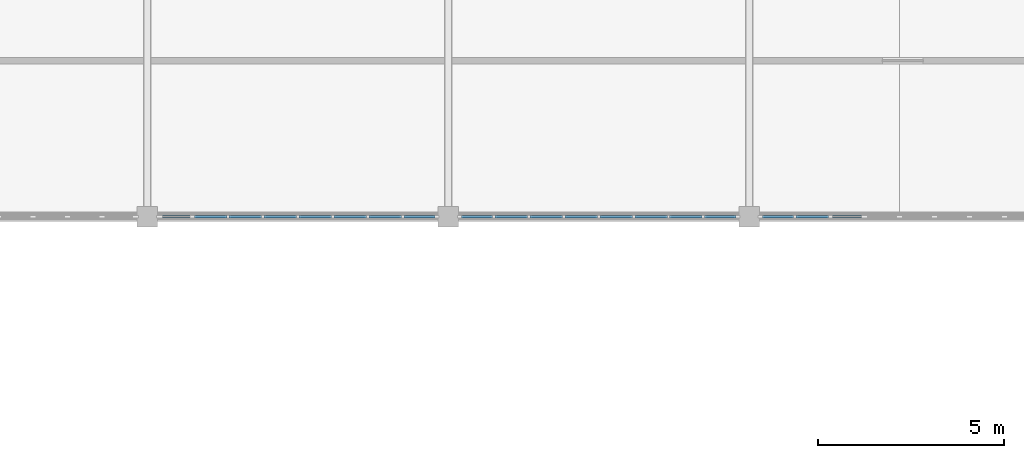
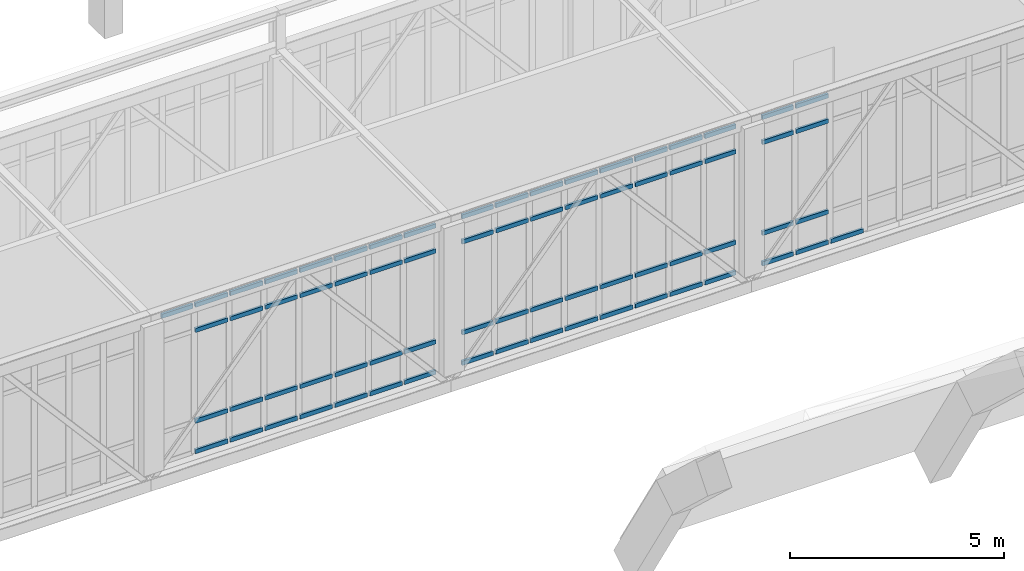
# One storey, part 22 of 67: 70 members, 3 elements without a shape of their own.
"""IFC4 building model written with IfcOpenShell, lengths in metres."""

from ifc_helpers import new_model, si_unit, direction, frame, origin, origin_2d, place, context, subcontext, project, spatial, rectangle, extrude, material, material_profile, profile_set, type_object, element, aggregate, save


model = new_model("IFC4")

# Units and contexts
model_context = context("Model", 3, precision=1e-05, world=origin(), true_north=direction((0.0, 1.0)))
body_context = subcontext(model_context, "Body", "Model", "MODEL_VIEW")
ifc_project = project(units=[si_unit("LENGTHUNIT", "METRE"), si_unit("AREAUNIT", "SQUARE_METRE"), si_unit("VOLUMEUNIT", "CUBIC_METRE"), si_unit("PLANEANGLEUNIT", "RADIAN"), si_unit("MASSUNIT", "GRAM", prefix="KILO")], contexts=[model_context])

# Site, building, storey
site_placement = place(None, origin())
site = spatial("IfcSite", under=ifc_project, at=site_placement, CompositionType="ELEMENT")
building_placement = place(site_placement, origin())
building = spatial("IfcBuilding", under=site, at=building_placement, Name="Tarnveldt Square Police Headquarters", CompositionType="ELEMENT")
storey_placement = place(building_placement, frame((0.0, 0.0, 10.199951171875)))
storey = spatial("IfcBuildingStorey", under=building, at=storey_placement, Name="L02", CompositionType="ELEMENT", Elevation=10.199951171875)

# Curtain wall, members
ifc_material_1 = material(Name="Triple-glazed low-e laminated vision glass", Category="glass")
curtain_wall_type = type_object("IfcCurtainWallType", Name="CW-SB-752x424", PredefinedType="USERDEFINED", material=ifc_material_1)
curtain_wall_1_placement = place(storey_placement, origin())
curtain_wall_1 = element("IfcCurtainWall", 1, at=curtain_wall_1_placement, inside=storey, type_object=curtain_wall_type, Name="L02 Curtain Wall CW-L02-139", ObjectType="GLAZED CURTAIN WALL", PredefinedType="USERDEFINED")
ifc_material_2 = material(Name="Thermally broken anodised aluminium 6063-T6", Category="aluminium")
ifc_material_profile = material_profile(ifc_material_2, rectangle(XDim=0.06494140625, YDim=0.1201171875, at=origin_2d()), Name="CW-T65x120")
ifc_profile_set = profile_set([ifc_material_profile], Name="Thermally broken anodised aluminium 6063-T6")
member_type = type_object("IfcMemberType", Name="CWT-65x120", PredefinedType="USERDEFINED", material=ifc_profile_set)
member_1_placement = place(storey_placement, frame((57.054931640625, 56.0, 4.20751953125), z_axis=(1.0, 0.0, 0.0), x_axis=(0.0, 1.0, 0.0)))
member_1 = element("IfcMember", 2, at=member_1_placement, type_object=member_type, Name="CW-SB86 transom 1.4", ObjectType="TRANSOM", PredefinedType="USERDEFINED", context=body_context, shape_type="SweptSolid", body=[
    extrude(rectangle(XDim=0.06494140625, YDim=0.1201171875, at=origin_2d()), origin(), (0.0, 0.0, 1.0), 0.842529296875),
])
member_2_placement = place(storey_placement, frame((57.96240234375, 56.0, 0.032470703125), z_axis=(1.0, 0.0, 0.0), x_axis=(0.0, 1.0, 0.0)))
member_2 = element("IfcMember", 3, at=member_2_placement, type_object=member_type, Name="CW-SB86 transom 2.1", ObjectType="TRANSOM", PredefinedType="USERDEFINED", context=body_context, shape_type="SweptSolid", body=[
    extrude(rectangle(XDim=0.06494140625, YDim=0.1201171875, at=origin_2d()), origin(), (0.0, 0.0, 1.0), 0.875),
])
member_3_placement = place(storey_placement, frame((57.96240234375, 56.0, 0.900146484375), z_axis=(1.0, 0.0, 0.0), x_axis=(0.0, 1.0, 0.0)))
member_3 = element("IfcMember", 4, at=member_3_placement, type_object=member_type, Name="CW-SB86 transom 2.2", ObjectType="TRANSOM", PredefinedType="USERDEFINED", context=body_context, shape_type="SweptSolid", body=[
    extrude(rectangle(XDim=0.06494140625, YDim=0.1201171875, at=origin_2d()), origin(), (0.0, 0.0, 1.0), 0.875),
])
member_4_placement = place(storey_placement, frame((57.96240234375, 56.0, 3.489990234375), z_axis=(1.0, 0.0, 0.0), x_axis=(0.0, 1.0, 0.0)))
member_4 = element("IfcMember", 5, at=member_4_placement, type_object=member_type, Name="CW-SB86 transom 2.3", ObjectType="TRANSOM", PredefinedType="USERDEFINED", context=body_context, shape_type="SweptSolid", body=[
    extrude(rectangle(XDim=0.06494140625, YDim=0.1201171875, at=origin_2d()), origin(), (0.0, 0.0, 1.0), 0.875),
])
member_5_placement = place(storey_placement, frame((57.96240234375, 56.0, 4.20751953125), z_axis=(1.0, 0.0, 0.0), x_axis=(0.0, 1.0, 0.0)))
member_5 = element("IfcMember", 6, at=member_5_placement, type_object=member_type, Name="CW-SB86 transom 2.4", ObjectType="TRANSOM", PredefinedType="USERDEFINED", context=body_context, shape_type="SweptSolid", body=[
    extrude(rectangle(XDim=0.06494140625, YDim=0.1201171875, at=origin_2d()), origin(), (0.0, 0.0, 1.0), 0.875),
])
member_6_placement = place(storey_placement, frame((58.902587890625, 56.0, 0.032470703125), z_axis=(1.0, 0.0, 0.0), x_axis=(0.0, 1.0, 0.0)))
member_6 = element("IfcMember", 7, at=member_6_placement, type_object=member_type, Name="CW-SB86 transom 3.1", ObjectType="TRANSOM", PredefinedType="USERDEFINED", context=body_context, shape_type="SweptSolid", body=[
    extrude(rectangle(XDim=0.06494140625, YDim=0.1201171875, at=origin_2d()), origin(), (0.0, 0.0, 1.0), 0.875),
])
member_7_placement = place(storey_placement, frame((58.902587890625, 56.0, 0.900146484375), z_axis=(1.0, 0.0, 0.0), x_axis=(0.0, 1.0, 0.0)))
member_7 = element("IfcMember", 8, at=member_7_placement, type_object=member_type, Name="CW-SB86 transom 3.2", ObjectType="TRANSOM", PredefinedType="USERDEFINED", context=body_context, shape_type="SweptSolid", body=[
    extrude(rectangle(XDim=0.06494140625, YDim=0.1201171875, at=origin_2d()), origin(), (0.0, 0.0, 1.0), 0.875),
])
member_8_placement = place(storey_placement, frame((58.902587890625, 56.0, 3.489990234375), z_axis=(1.0, 0.0, 0.0), x_axis=(0.0, 1.0, 0.0)))
member_8 = element("IfcMember", 9, at=member_8_placement, type_object=member_type, Name="CW-SB86 transom 3.3", ObjectType="TRANSOM", PredefinedType="USERDEFINED", context=body_context, shape_type="SweptSolid", body=[
    extrude(rectangle(XDim=0.06494140625, YDim=0.1201171875, at=origin_2d()), origin(), (0.0, 0.0, 1.0), 0.875),
])
member_9_placement = place(storey_placement, frame((58.902587890625, 56.0, 4.20751953125), z_axis=(1.0, 0.0, 0.0), x_axis=(0.0, 1.0, 0.0)))
member_9 = element("IfcMember", 10, at=member_9_placement, type_object=member_type, Name="CW-SB86 transom 3.4", ObjectType="TRANSOM", PredefinedType="USERDEFINED", context=body_context, shape_type="SweptSolid", body=[
    extrude(rectangle(XDim=0.06494140625, YDim=0.1201171875, at=origin_2d()), origin(), (0.0, 0.0, 1.0), 0.875),
])
member_10_placement = place(storey_placement, frame((59.842529296875, 56.0, 0.032470703125), z_axis=(1.0, 0.0, 0.0), x_axis=(0.0, 1.0, 0.0)))
member_10 = element("IfcMember", 11, at=member_10_placement, type_object=member_type, Name="CW-SB86 transom 4.1", ObjectType="TRANSOM", PredefinedType="USERDEFINED", context=body_context, shape_type="SweptSolid", body=[
    extrude(rectangle(XDim=0.06494140625, YDim=0.1201171875, at=origin_2d()), origin(), (0.0, 0.0, 1.0), 0.875),
])
member_11_placement = place(storey_placement, frame((59.842529296875, 56.0, 0.900146484375), z_axis=(1.0, 0.0, 0.0), x_axis=(0.0, 1.0, 0.0)))
member_11 = element("IfcMember", 12, at=member_11_placement, type_object=member_type, Name="CW-SB86 transom 4.2", ObjectType="TRANSOM", PredefinedType="USERDEFINED", context=body_context, shape_type="SweptSolid", body=[
    extrude(rectangle(XDim=0.06494140625, YDim=0.1201171875, at=origin_2d()), origin(), (0.0, 0.0, 1.0), 0.875),
])
member_12_placement = place(storey_placement, frame((59.842529296875, 56.0, 3.489990234375), z_axis=(1.0, 0.0, 0.0), x_axis=(0.0, 1.0, 0.0)))
member_12 = element("IfcMember", 13, at=member_12_placement, type_object=member_type, Name="CW-SB86 transom 4.3", ObjectType="TRANSOM", PredefinedType="USERDEFINED", context=body_context, shape_type="SweptSolid", body=[
    extrude(rectangle(XDim=0.06494140625, YDim=0.1201171875, at=origin_2d()), origin(), (0.0, 0.0, 1.0), 0.875),
])
member_13_placement = place(storey_placement, frame((59.842529296875, 56.0, 4.20751953125), z_axis=(1.0, 0.0, 0.0), x_axis=(0.0, 1.0, 0.0)))
member_13 = element("IfcMember", 14, at=member_13_placement, type_object=member_type, Name="CW-SB86 transom 4.4", ObjectType="TRANSOM", PredefinedType="USERDEFINED", context=body_context, shape_type="SweptSolid", body=[
    extrude(rectangle(XDim=0.06494140625, YDim=0.1201171875, at=origin_2d()), origin(), (0.0, 0.0, 1.0), 0.875),
])
member_14_placement = place(storey_placement, frame((60.782470703125, 56.0, 0.032470703125), z_axis=(1.0, 0.0, 0.0), x_axis=(0.0, 1.0, 0.0)))
member_14 = element("IfcMember", 15, at=member_14_placement, type_object=member_type, Name="CW-SB86 transom 5.1", ObjectType="TRANSOM", PredefinedType="USERDEFINED", context=body_context, shape_type="SweptSolid", body=[
    extrude(rectangle(XDim=0.06494140625, YDim=0.1201171875, at=origin_2d()), origin(), (0.0, 0.0, 1.0), 0.875),
])
member_15_placement = place(storey_placement, frame((60.782470703125, 56.0, 0.900146484375), z_axis=(1.0, 0.0, 0.0), x_axis=(0.0, 1.0, 0.0)))
member_15 = element("IfcMember", 16, at=member_15_placement, type_object=member_type, Name="CW-SB86 transom 5.2", ObjectType="TRANSOM", PredefinedType="USERDEFINED", context=body_context, shape_type="SweptSolid", body=[
    extrude(rectangle(XDim=0.06494140625, YDim=0.1201171875, at=origin_2d()), origin(), (0.0, 0.0, 1.0), 0.875),
])
member_16_placement = place(storey_placement, frame((60.782470703125, 56.0, 3.489990234375), z_axis=(1.0, 0.0, 0.0), x_axis=(0.0, 1.0, 0.0)))
member_16 = element("IfcMember", 17, at=member_16_placement, type_object=member_type, Name="CW-SB86 transom 5.3", ObjectType="TRANSOM", PredefinedType="USERDEFINED", context=body_context, shape_type="SweptSolid", body=[
    extrude(rectangle(XDim=0.06494140625, YDim=0.1201171875, at=origin_2d()), origin(), (0.0, 0.0, 1.0), 0.875),
])
member_17_placement = place(storey_placement, frame((60.782470703125, 56.0, 4.20751953125), z_axis=(1.0, 0.0, 0.0), x_axis=(0.0, 1.0, 0.0)))
member_17 = element("IfcMember", 18, at=member_17_placement, type_object=member_type, Name="CW-SB86 transom 5.4", ObjectType="TRANSOM", PredefinedType="USERDEFINED", context=body_context, shape_type="SweptSolid", body=[
    extrude(rectangle(XDim=0.06494140625, YDim=0.1201171875, at=origin_2d()), origin(), (0.0, 0.0, 1.0), 0.875),
])
member_18_placement = place(storey_placement, frame((61.722412109375, 56.0, 0.032470703125), z_axis=(1.0, 0.0, 0.0), x_axis=(0.0, 1.0, 0.0)))
member_18 = element("IfcMember", 19, at=member_18_placement, type_object=member_type, Name="CW-SB86 transom 6.1", ObjectType="TRANSOM", PredefinedType="USERDEFINED", context=body_context, shape_type="SweptSolid", body=[
    extrude(rectangle(XDim=0.06494140625, YDim=0.1201171875, at=origin_2d()), origin(), (0.0, 0.0, 1.0), 0.875),
])
member_19_placement = place(storey_placement, frame((61.722412109375, 56.0, 0.900146484375), z_axis=(1.0, 0.0, 0.0), x_axis=(0.0, 1.0, 0.0)))
member_19 = element("IfcMember", 20, at=member_19_placement, type_object=member_type, Name="CW-SB86 transom 6.2", ObjectType="TRANSOM", PredefinedType="USERDEFINED", context=body_context, shape_type="SweptSolid", body=[
    extrude(rectangle(XDim=0.06494140625, YDim=0.1201171875, at=origin_2d()), origin(), (0.0, 0.0, 1.0), 0.875),
])
member_20_placement = place(storey_placement, frame((61.722412109375, 56.0, 3.489990234375), z_axis=(1.0, 0.0, 0.0), x_axis=(0.0, 1.0, 0.0)))
member_20 = element("IfcMember", 21, at=member_20_placement, type_object=member_type, Name="CW-SB86 transom 6.3", ObjectType="TRANSOM", PredefinedType="USERDEFINED", context=body_context, shape_type="SweptSolid", body=[
    extrude(rectangle(XDim=0.06494140625, YDim=0.1201171875, at=origin_2d()), origin(), (0.0, 0.0, 1.0), 0.875),
])
member_21_placement = place(storey_placement, frame((61.722412109375, 56.0, 4.20751953125), z_axis=(1.0, 0.0, 0.0), x_axis=(0.0, 1.0, 0.0)))
member_21 = element("IfcMember", 22, at=member_21_placement, type_object=member_type, Name="CW-SB86 transom 6.4", ObjectType="TRANSOM", PredefinedType="USERDEFINED", context=body_context, shape_type="SweptSolid", body=[
    extrude(rectangle(XDim=0.06494140625, YDim=0.1201171875, at=origin_2d()), origin(), (0.0, 0.0, 1.0), 0.875),
])
member_22_placement = place(storey_placement, frame((62.66259765625, 56.0, 0.032470703125), z_axis=(1.0, 0.0, 0.0), x_axis=(0.0, 1.0, 0.0)))
member_22 = element("IfcMember", 23, at=member_22_placement, type_object=member_type, Name="CW-SB86 transom 7.1", ObjectType="TRANSOM", PredefinedType="USERDEFINED", context=body_context, shape_type="SweptSolid", body=[
    extrude(rectangle(XDim=0.06494140625, YDim=0.1201171875, at=origin_2d()), origin(), (0.0, 0.0, 1.0), 0.875),
])
member_23_placement = place(storey_placement, frame((62.66259765625, 56.0, 0.900146484375), z_axis=(1.0, 0.0, 0.0), x_axis=(0.0, 1.0, 0.0)))
member_23 = element("IfcMember", 24, at=member_23_placement, type_object=member_type, Name="CW-SB86 transom 7.2", ObjectType="TRANSOM", PredefinedType="USERDEFINED", context=body_context, shape_type="SweptSolid", body=[
    extrude(rectangle(XDim=0.06494140625, YDim=0.1201171875, at=origin_2d()), origin(), (0.0, 0.0, 1.0), 0.875),
])
member_24_placement = place(storey_placement, frame((62.66259765625, 56.0, 3.489990234375), z_axis=(1.0, 0.0, 0.0), x_axis=(0.0, 1.0, 0.0)))
member_24 = element("IfcMember", 25, at=member_24_placement, type_object=member_type, Name="CW-SB86 transom 7.3", ObjectType="TRANSOM", PredefinedType="USERDEFINED", context=body_context, shape_type="SweptSolid", body=[
    extrude(rectangle(XDim=0.06494140625, YDim=0.1201171875, at=origin_2d()), origin(), (0.0, 0.0, 1.0), 0.875),
])
member_25_placement = place(storey_placement, frame((62.66259765625, 56.0, 4.20751953125), z_axis=(1.0, 0.0, 0.0), x_axis=(0.0, 1.0, 0.0)))
member_25 = element("IfcMember", 26, at=member_25_placement, type_object=member_type, Name="CW-SB86 transom 7.4", ObjectType="TRANSOM", PredefinedType="USERDEFINED", context=body_context, shape_type="SweptSolid", body=[
    extrude(rectangle(XDim=0.06494140625, YDim=0.1201171875, at=origin_2d()), origin(), (0.0, 0.0, 1.0), 0.875),
])
member_26_placement = place(storey_placement, frame((63.6025390625, 56.0, 0.032470703125), z_axis=(1.0, 0.0, 0.0), x_axis=(0.0, 1.0, 0.0)))
member_26 = element("IfcMember", 27, at=member_26_placement, type_object=member_type, Name="CW-SB86 transom 8.1", ObjectType="TRANSOM", PredefinedType="USERDEFINED", context=body_context, shape_type="SweptSolid", body=[
    extrude(rectangle(XDim=0.06494140625, YDim=0.1201171875, at=origin_2d()), origin(), (0.0, 0.0, 1.0), 0.842529296875),
])
member_27_placement = place(storey_placement, frame((63.6025390625, 56.0, 0.900146484375), z_axis=(1.0, 0.0, 0.0), x_axis=(0.0, 1.0, 0.0)))
member_27 = element("IfcMember", 28, at=member_27_placement, type_object=member_type, Name="CW-SB86 transom 8.2", ObjectType="TRANSOM", PredefinedType="USERDEFINED", context=body_context, shape_type="SweptSolid", body=[
    extrude(rectangle(XDim=0.06494140625, YDim=0.1201171875, at=origin_2d()), origin(), (0.0, 0.0, 1.0), 0.842529296875),
])
member_28_placement = place(storey_placement, frame((63.6025390625, 56.0, 3.489990234375), z_axis=(1.0, 0.0, 0.0), x_axis=(0.0, 1.0, 0.0)))
member_28 = element("IfcMember", 29, at=member_28_placement, type_object=member_type, Name="CW-SB86 transom 8.3", ObjectType="TRANSOM", PredefinedType="USERDEFINED", context=body_context, shape_type="SweptSolid", body=[
    extrude(rectangle(XDim=0.06494140625, YDim=0.1201171875, at=origin_2d()), origin(), (0.0, 0.0, 1.0), 0.842529296875),
])
member_29_placement = place(storey_placement, frame((63.6025390625, 56.0, 4.20751953125), z_axis=(1.0, 0.0, 0.0), x_axis=(0.0, 1.0, 0.0)))
member_29 = element("IfcMember", 30, at=member_29_placement, type_object=member_type, Name="CW-SB86 transom 8.4", ObjectType="TRANSOM", PredefinedType="USERDEFINED", context=body_context, shape_type="SweptSolid", body=[
    extrude(rectangle(XDim=0.06494140625, YDim=0.1201171875, at=origin_2d()), origin(), (0.0, 0.0, 1.0), 0.842529296875),
])
aggregate(curtain_wall_1, [member_1, member_2, member_3, member_4, member_5, member_6, member_7, member_8, member_9, member_10, member_11, member_12, member_13, member_14, member_15, member_16, member_17, member_18, member_19, member_20, member_21, member_22, member_23, member_24, member_25, member_26, member_27, member_28, member_29])

curtain_wall_2_placement = place(storey_placement, origin())
curtain_wall_2 = element("IfcCurtainWall", 31, at=curtain_wall_2_placement, inside=storey, type_object=curtain_wall_type, Name="L02 Curtain Wall CW-L02-140", ObjectType="GLAZED CURTAIN WALL", PredefinedType="USERDEFINED")
member_30_placement = place(storey_placement, frame((65.155029296875, 56.0, 0.032470703125), z_axis=(1.0, 0.0, 0.0), x_axis=(0.0, 1.0, 0.0)))
member_30 = element("IfcMember", 32, at=member_30_placement, type_object=member_type, Name="CW-SB86 transom 1.1", ObjectType="TRANSOM", PredefinedType="USERDEFINED", context=body_context, shape_type="SweptSolid", body=[
    extrude(rectangle(XDim=0.06494140625, YDim=0.1201171875, at=origin_2d()), origin(), (0.0, 0.0, 1.0), 0.842529296875),
])
member_31_placement = place(storey_placement, frame((65.155029296875, 56.0, 0.900146484375), z_axis=(1.0, 0.0, 0.0), x_axis=(0.0, 1.0, 0.0)))
member_31 = element("IfcMember", 33, at=member_31_placement, type_object=member_type, Name="CW-SB86 transom 1.2", ObjectType="TRANSOM", PredefinedType="USERDEFINED", context=body_context, shape_type="SweptSolid", body=[
    extrude(rectangle(XDim=0.06494140625, YDim=0.1201171875, at=origin_2d()), origin(), (0.0, 0.0, 1.0), 0.842529296875),
])
member_32_placement = place(storey_placement, frame((65.155029296875, 56.0, 3.489990234375), z_axis=(1.0, 0.0, 0.0), x_axis=(0.0, 1.0, 0.0)))
member_32 = element("IfcMember", 34, at=member_32_placement, type_object=member_type, Name="CW-SB86 transom 1.3", ObjectType="TRANSOM", PredefinedType="USERDEFINED", context=body_context, shape_type="SweptSolid", body=[
    extrude(rectangle(XDim=0.06494140625, YDim=0.1201171875, at=origin_2d()), origin(), (0.0, 0.0, 1.0), 0.842529296875),
])
member_33_placement = place(storey_placement, frame((65.155029296875, 56.0, 4.20751953125), z_axis=(1.0, 0.0, 0.0), x_axis=(0.0, 1.0, 0.0)))
member_33 = element("IfcMember", 35, at=member_33_placement, type_object=member_type, Name="CW-SB86 transom 1.4", ObjectType="TRANSOM", PredefinedType="USERDEFINED", context=body_context, shape_type="SweptSolid", body=[
    extrude(rectangle(XDim=0.06494140625, YDim=0.1201171875, at=origin_2d()), origin(), (0.0, 0.0, 1.0), 0.842529296875),
])
member_34_placement = place(storey_placement, frame((66.0625, 56.0, 0.032470703125), z_axis=(1.0, 0.0, 0.0), x_axis=(0.0, 1.0, 0.0)))
member_34 = element("IfcMember", 36, at=member_34_placement, type_object=member_type, Name="CW-SB86 transom 2.1", ObjectType="TRANSOM", PredefinedType="USERDEFINED", context=body_context, shape_type="SweptSolid", body=[
    extrude(rectangle(XDim=0.06494140625, YDim=0.1201171875, at=origin_2d()), origin(), (0.0, 0.0, 1.0), 0.875),
])
member_35_placement = place(storey_placement, frame((66.0625, 56.0, 0.900146484375), z_axis=(1.0, 0.0, 0.0), x_axis=(0.0, 1.0, 0.0)))
member_35 = element("IfcMember", 37, at=member_35_placement, type_object=member_type, Name="CW-SB86 transom 2.2", ObjectType="TRANSOM", PredefinedType="USERDEFINED", context=body_context, shape_type="SweptSolid", body=[
    extrude(rectangle(XDim=0.06494140625, YDim=0.1201171875, at=origin_2d()), origin(), (0.0, 0.0, 1.0), 0.875),
])
member_36_placement = place(storey_placement, frame((66.0625, 56.0, 3.489990234375), z_axis=(1.0, 0.0, 0.0), x_axis=(0.0, 1.0, 0.0)))
member_36 = element("IfcMember", 38, at=member_36_placement, type_object=member_type, Name="CW-SB86 transom 2.3", ObjectType="TRANSOM", PredefinedType="USERDEFINED", context=body_context, shape_type="SweptSolid", body=[
    extrude(rectangle(XDim=0.06494140625, YDim=0.1201171875, at=origin_2d()), origin(), (0.0, 0.0, 1.0), 0.875),
])
member_37_placement = place(storey_placement, frame((66.0625, 56.0, 4.20751953125), z_axis=(1.0, 0.0, 0.0), x_axis=(0.0, 1.0, 0.0)))
member_37 = element("IfcMember", 39, at=member_37_placement, type_object=member_type, Name="CW-SB86 transom 2.4", ObjectType="TRANSOM", PredefinedType="USERDEFINED", context=body_context, shape_type="SweptSolid", body=[
    extrude(rectangle(XDim=0.06494140625, YDim=0.1201171875, at=origin_2d()), origin(), (0.0, 0.0, 1.0), 0.875),
])
member_38_placement = place(storey_placement, frame((67.00244140625, 56.0, 0.032470703125), z_axis=(1.0, 0.0, 0.0), x_axis=(0.0, 1.0, 0.0)))
member_38 = element("IfcMember", 40, at=member_38_placement, type_object=member_type, Name="CW-SB86 transom 3.1", ObjectType="TRANSOM", PredefinedType="USERDEFINED", context=body_context, shape_type="SweptSolid", body=[
    extrude(rectangle(XDim=0.06494140625, YDim=0.1201171875, at=origin_2d()), origin(), (0.0, 0.0, 1.0), 0.875),
])
member_39_placement = place(storey_placement, frame((67.00244140625, 56.0, 0.900146484375), z_axis=(1.0, 0.0, 0.0), x_axis=(0.0, 1.0, 0.0)))
member_39 = element("IfcMember", 41, at=member_39_placement, type_object=member_type, Name="CW-SB86 transom 3.2", ObjectType="TRANSOM", PredefinedType="USERDEFINED", context=body_context, shape_type="SweptSolid", body=[
    extrude(rectangle(XDim=0.06494140625, YDim=0.1201171875, at=origin_2d()), origin(), (0.0, 0.0, 1.0), 0.875),
])
member_40_placement = place(storey_placement, frame((67.00244140625, 56.0, 3.489990234375), z_axis=(1.0, 0.0, 0.0), x_axis=(0.0, 1.0, 0.0)))
member_40 = element("IfcMember", 42, at=member_40_placement, type_object=member_type, Name="CW-SB86 transom 3.3", ObjectType="TRANSOM", PredefinedType="USERDEFINED", context=body_context, shape_type="SweptSolid", body=[
    extrude(rectangle(XDim=0.06494140625, YDim=0.1201171875, at=origin_2d()), origin(), (0.0, 0.0, 1.0), 0.875),
])
member_41_placement = place(storey_placement, frame((67.00244140625, 56.0, 4.20751953125), z_axis=(1.0, 0.0, 0.0), x_axis=(0.0, 1.0, 0.0)))
member_41 = element("IfcMember", 43, at=member_41_placement, type_object=member_type, Name="CW-SB86 transom 3.4", ObjectType="TRANSOM", PredefinedType="USERDEFINED", context=body_context, shape_type="SweptSolid", body=[
    extrude(rectangle(XDim=0.06494140625, YDim=0.1201171875, at=origin_2d()), origin(), (0.0, 0.0, 1.0), 0.875),
])
member_42_placement = place(storey_placement, frame((67.9423828125, 56.0, 0.032470703125), z_axis=(1.0, 0.0, 0.0), x_axis=(0.0, 1.0, 0.0)))
member_42 = element("IfcMember", 44, at=member_42_placement, type_object=member_type, Name="CW-SB86 transom 4.1", ObjectType="TRANSOM", PredefinedType="USERDEFINED", context=body_context, shape_type="SweptSolid", body=[
    extrude(rectangle(XDim=0.06494140625, YDim=0.1201171875, at=origin_2d()), origin(), (0.0, 0.0, 1.0), 0.875),
])
member_43_placement = place(storey_placement, frame((67.9423828125, 56.0, 0.900146484375), z_axis=(1.0, 0.0, 0.0), x_axis=(0.0, 1.0, 0.0)))
member_43 = element("IfcMember", 45, at=member_43_placement, type_object=member_type, Name="CW-SB86 transom 4.2", ObjectType="TRANSOM", PredefinedType="USERDEFINED", context=body_context, shape_type="SweptSolid", body=[
    extrude(rectangle(XDim=0.06494140625, YDim=0.1201171875, at=origin_2d()), origin(), (0.0, 0.0, 1.0), 0.875),
])
member_44_placement = place(storey_placement, frame((67.9423828125, 56.0, 3.489990234375), z_axis=(1.0, 0.0, 0.0), x_axis=(0.0, 1.0, 0.0)))
member_44 = element("IfcMember", 46, at=member_44_placement, type_object=member_type, Name="CW-SB86 transom 4.3", ObjectType="TRANSOM", PredefinedType="USERDEFINED", context=body_context, shape_type="SweptSolid", body=[
    extrude(rectangle(XDim=0.06494140625, YDim=0.1201171875, at=origin_2d()), origin(), (0.0, 0.0, 1.0), 0.875),
])
member_45_placement = place(storey_placement, frame((67.9423828125, 56.0, 4.20751953125), z_axis=(1.0, 0.0, 0.0), x_axis=(0.0, 1.0, 0.0)))
member_45 = element("IfcMember", 47, at=member_45_placement, type_object=member_type, Name="CW-SB86 transom 4.4", ObjectType="TRANSOM", PredefinedType="USERDEFINED", context=body_context, shape_type="SweptSolid", body=[
    extrude(rectangle(XDim=0.06494140625, YDim=0.1201171875, at=origin_2d()), origin(), (0.0, 0.0, 1.0), 0.875),
])
member_46_placement = place(storey_placement, frame((68.882568359375, 56.0, 0.032470703125), z_axis=(1.0, 0.0, 0.0), x_axis=(0.0, 1.0, 0.0)))
member_46 = element("IfcMember", 48, at=member_46_placement, type_object=member_type, Name="CW-SB86 transom 5.1", ObjectType="TRANSOM", PredefinedType="USERDEFINED", context=body_context, shape_type="SweptSolid", body=[
    extrude(rectangle(XDim=0.06494140625, YDim=0.1201171875, at=origin_2d()), origin(), (0.0, 0.0, 1.0), 0.875),
])
member_47_placement = place(storey_placement, frame((68.882568359375, 56.0, 0.900146484375), z_axis=(1.0, 0.0, 0.0), x_axis=(0.0, 1.0, 0.0)))
member_47 = element("IfcMember", 49, at=member_47_placement, type_object=member_type, Name="CW-SB86 transom 5.2", ObjectType="TRANSOM", PredefinedType="USERDEFINED", context=body_context, shape_type="SweptSolid", body=[
    extrude(rectangle(XDim=0.06494140625, YDim=0.1201171875, at=origin_2d()), origin(), (0.0, 0.0, 1.0), 0.875),
])
member_48_placement = place(storey_placement, frame((68.882568359375, 56.0, 3.489990234375), z_axis=(1.0, 0.0, 0.0), x_axis=(0.0, 1.0, 0.0)))
member_48 = element("IfcMember", 50, at=member_48_placement, type_object=member_type, Name="CW-SB86 transom 5.3", ObjectType="TRANSOM", PredefinedType="USERDEFINED", context=body_context, shape_type="SweptSolid", body=[
    extrude(rectangle(XDim=0.06494140625, YDim=0.1201171875, at=origin_2d()), origin(), (0.0, 0.0, 1.0), 0.875),
])
member_49_placement = place(storey_placement, frame((68.882568359375, 56.0, 4.20751953125), z_axis=(1.0, 0.0, 0.0), x_axis=(0.0, 1.0, 0.0)))
member_49 = element("IfcMember", 51, at=member_49_placement, type_object=member_type, Name="CW-SB86 transom 5.4", ObjectType="TRANSOM", PredefinedType="USERDEFINED", context=body_context, shape_type="SweptSolid", body=[
    extrude(rectangle(XDim=0.06494140625, YDim=0.1201171875, at=origin_2d()), origin(), (0.0, 0.0, 1.0), 0.875),
])
member_50_placement = place(storey_placement, frame((69.822509765625, 56.0, 0.032470703125), z_axis=(1.0, 0.0, 0.0), x_axis=(0.0, 1.0, 0.0)))
member_50 = element("IfcMember", 52, at=member_50_placement, type_object=member_type, Name="CW-SB86 transom 6.1", ObjectType="TRANSOM", PredefinedType="USERDEFINED", context=body_context, shape_type="SweptSolid", body=[
    extrude(rectangle(XDim=0.06494140625, YDim=0.1201171875, at=origin_2d()), origin(), (0.0, 0.0, 1.0), 0.875),
])
member_51_placement = place(storey_placement, frame((69.822509765625, 56.0, 0.900146484375), z_axis=(1.0, 0.0, 0.0), x_axis=(0.0, 1.0, 0.0)))
member_51 = element("IfcMember", 53, at=member_51_placement, type_object=member_type, Name="CW-SB86 transom 6.2", ObjectType="TRANSOM", PredefinedType="USERDEFINED", context=body_context, shape_type="SweptSolid", body=[
    extrude(rectangle(XDim=0.06494140625, YDim=0.1201171875, at=origin_2d()), origin(), (0.0, 0.0, 1.0), 0.875),
])
member_52_placement = place(storey_placement, frame((69.822509765625, 56.0, 3.489990234375), z_axis=(1.0, 0.0, 0.0), x_axis=(0.0, 1.0, 0.0)))
member_52 = element("IfcMember", 54, at=member_52_placement, type_object=member_type, Name="CW-SB86 transom 6.3", ObjectType="TRANSOM", PredefinedType="USERDEFINED", context=body_context, shape_type="SweptSolid", body=[
    extrude(rectangle(XDim=0.06494140625, YDim=0.1201171875, at=origin_2d()), origin(), (0.0, 0.0, 1.0), 0.875),
])
member_53_placement = place(storey_placement, frame((69.822509765625, 56.0, 4.20751953125), z_axis=(1.0, 0.0, 0.0), x_axis=(0.0, 1.0, 0.0)))
member_53 = element("IfcMember", 55, at=member_53_placement, type_object=member_type, Name="CW-SB86 transom 6.4", ObjectType="TRANSOM", PredefinedType="USERDEFINED", context=body_context, shape_type="SweptSolid", body=[
    extrude(rectangle(XDim=0.06494140625, YDim=0.1201171875, at=origin_2d()), origin(), (0.0, 0.0, 1.0), 0.875),
])
member_54_placement = place(storey_placement, frame((70.762451171875, 56.0, 0.032470703125), z_axis=(1.0, 0.0, 0.0), x_axis=(0.0, 1.0, 0.0)))
member_54 = element("IfcMember", 56, at=member_54_placement, type_object=member_type, Name="CW-SB86 transom 7.1", ObjectType="TRANSOM", PredefinedType="USERDEFINED", context=body_context, shape_type="SweptSolid", body=[
    extrude(rectangle(XDim=0.06494140625, YDim=0.1201171875, at=origin_2d()), origin(), (0.0, 0.0, 1.0), 0.875),
])
member_55_placement = place(storey_placement, frame((70.762451171875, 56.0, 0.900146484375), z_axis=(1.0, 0.0, 0.0), x_axis=(0.0, 1.0, 0.0)))
member_55 = element("IfcMember", 57, at=member_55_placement, type_object=member_type, Name="CW-SB86 transom 7.2", ObjectType="TRANSOM", PredefinedType="USERDEFINED", context=body_context, shape_type="SweptSolid", body=[
    extrude(rectangle(XDim=0.06494140625, YDim=0.1201171875, at=origin_2d()), origin(), (0.0, 0.0, 1.0), 0.875),
])
member_56_placement = place(storey_placement, frame((70.762451171875, 56.0, 3.489990234375), z_axis=(1.0, 0.0, 0.0), x_axis=(0.0, 1.0, 0.0)))
member_56 = element("IfcMember", 58, at=member_56_placement, type_object=member_type, Name="CW-SB86 transom 7.3", ObjectType="TRANSOM", PredefinedType="USERDEFINED", context=body_context, shape_type="SweptSolid", body=[
    extrude(rectangle(XDim=0.06494140625, YDim=0.1201171875, at=origin_2d()), origin(), (0.0, 0.0, 1.0), 0.875),
])
member_57_placement = place(storey_placement, frame((70.762451171875, 56.0, 4.20751953125), z_axis=(1.0, 0.0, 0.0), x_axis=(0.0, 1.0, 0.0)))
member_57 = element("IfcMember", 59, at=member_57_placement, type_object=member_type, Name="CW-SB86 transom 7.4", ObjectType="TRANSOM", PredefinedType="USERDEFINED", context=body_context, shape_type="SweptSolid", body=[
    extrude(rectangle(XDim=0.06494140625, YDim=0.1201171875, at=origin_2d()), origin(), (0.0, 0.0, 1.0), 0.875),
])
member_58_placement = place(storey_placement, frame((71.702392578125, 56.0, 0.032470703125), z_axis=(1.0, 0.0, 0.0), x_axis=(0.0, 1.0, 0.0)))
member_58 = element("IfcMember", 60, at=member_58_placement, type_object=member_type, Name="CW-SB86 transom 8.1", ObjectType="TRANSOM", PredefinedType="USERDEFINED", context=body_context, shape_type="SweptSolid", body=[
    extrude(rectangle(XDim=0.06494140625, YDim=0.1201171875, at=origin_2d()), origin(), (0.0, 0.0, 1.0), 0.842529296875),
])
member_59_placement = place(storey_placement, frame((71.702392578125, 56.0, 0.900146484375), z_axis=(1.0, 0.0, 0.0), x_axis=(0.0, 1.0, 0.0)))
member_59 = element("IfcMember", 61, at=member_59_placement, type_object=member_type, Name="CW-SB86 transom 8.2", ObjectType="TRANSOM", PredefinedType="USERDEFINED", context=body_context, shape_type="SweptSolid", body=[
    extrude(rectangle(XDim=0.06494140625, YDim=0.1201171875, at=origin_2d()), origin(), (0.0, 0.0, 1.0), 0.842529296875),
])
member_60_placement = place(storey_placement, frame((71.702392578125, 56.0, 3.489990234375), z_axis=(1.0, 0.0, 0.0), x_axis=(0.0, 1.0, 0.0)))
member_60 = element("IfcMember", 62, at=member_60_placement, type_object=member_type, Name="CW-SB86 transom 8.3", ObjectType="TRANSOM", PredefinedType="USERDEFINED", context=body_context, shape_type="SweptSolid", body=[
    extrude(rectangle(XDim=0.06494140625, YDim=0.1201171875, at=origin_2d()), origin(), (0.0, 0.0, 1.0), 0.842529296875),
])
member_61_placement = place(storey_placement, frame((71.702392578125, 56.0, 4.20751953125), z_axis=(1.0, 0.0, 0.0), x_axis=(0.0, 1.0, 0.0)))
member_61 = element("IfcMember", 63, at=member_61_placement, type_object=member_type, Name="CW-SB86 transom 8.4", ObjectType="TRANSOM", PredefinedType="USERDEFINED", context=body_context, shape_type="SweptSolid", body=[
    extrude(rectangle(XDim=0.06494140625, YDim=0.1201171875, at=origin_2d()), origin(), (0.0, 0.0, 1.0), 0.842529296875),
])
aggregate(curtain_wall_2, [member_30, member_31, member_32, member_33, member_34, member_35, member_36, member_37, member_38, member_39, member_40, member_41, member_42, member_43, member_44, member_45, member_46, member_47, member_48, member_49, member_50, member_51, member_52, member_53, member_54, member_55, member_56, member_57, member_58, member_59, member_60, member_61])

curtain_wall_3_placement = place(storey_placement, origin())
curtain_wall_3 = element("IfcCurtainWall", 64, at=curtain_wall_3_placement, inside=storey, type_object=curtain_wall_type, Name="L02 Curtain Wall CW-L02-141", ObjectType="GLAZED CURTAIN WALL", PredefinedType="USERDEFINED")
member_62_placement = place(storey_placement, frame((73.2548828125, 56.0, 0.032470703125), z_axis=(1.0, 0.0, 0.0), x_axis=(0.0, 1.0, 0.0)))
member_62 = element("IfcMember", 65, at=member_62_placement, type_object=member_type, Name="CW-SB86 transom 1.1", ObjectType="TRANSOM", PredefinedType="USERDEFINED", context=body_context, shape_type="SweptSolid", body=[
    extrude(rectangle(XDim=0.06494140625, YDim=0.1201171875, at=origin_2d()), origin(), (0.0, 0.0, 1.0), 0.842529296875),
])
member_63_placement = place(storey_placement, frame((73.2548828125, 56.0, 0.900146484375), z_axis=(1.0, 0.0, 0.0), x_axis=(0.0, 1.0, 0.0)))
member_63 = element("IfcMember", 66, at=member_63_placement, type_object=member_type, Name="CW-SB86 transom 1.2", ObjectType="TRANSOM", PredefinedType="USERDEFINED", context=body_context, shape_type="SweptSolid", body=[
    extrude(rectangle(XDim=0.06494140625, YDim=0.1201171875, at=origin_2d()), origin(), (0.0, 0.0, 1.0), 0.842529296875),
])
member_64_placement = place(storey_placement, frame((73.2548828125, 56.0, 3.489990234375), z_axis=(1.0, 0.0, 0.0), x_axis=(0.0, 1.0, 0.0)))
member_64 = element("IfcMember", 67, at=member_64_placement, type_object=member_type, Name="CW-SB86 transom 1.3", ObjectType="TRANSOM", PredefinedType="USERDEFINED", context=body_context, shape_type="SweptSolid", body=[
    extrude(rectangle(XDim=0.06494140625, YDim=0.1201171875, at=origin_2d()), origin(), (0.0, 0.0, 1.0), 0.842529296875),
])
member_65_placement = place(storey_placement, frame((73.2548828125, 56.0, 4.20751953125), z_axis=(1.0, 0.0, 0.0), x_axis=(0.0, 1.0, 0.0)))
member_65 = element("IfcMember", 68, at=member_65_placement, type_object=member_type, Name="CW-SB86 transom 1.4", ObjectType="TRANSOM", PredefinedType="USERDEFINED", context=body_context, shape_type="SweptSolid", body=[
    extrude(rectangle(XDim=0.06494140625, YDim=0.1201171875, at=origin_2d()), origin(), (0.0, 0.0, 1.0), 0.842529296875),
])
member_66_placement = place(storey_placement, frame((74.16259765625, 56.0, 0.032470703125), z_axis=(1.0, 0.0, 0.0), x_axis=(0.0, 1.0, 0.0)))
member_66 = element("IfcMember", 69, at=member_66_placement, type_object=member_type, Name="CW-SB86 transom 2.1", ObjectType="TRANSOM", PredefinedType="USERDEFINED", context=body_context, shape_type="SweptSolid", body=[
    extrude(rectangle(XDim=0.06494140625, YDim=0.1201171875, at=origin_2d()), origin(), (0.0, 0.0, 1.0), 0.875),
])
member_67_placement = place(storey_placement, frame((74.16259765625, 56.0, 0.900146484375), z_axis=(1.0, 0.0, 0.0), x_axis=(0.0, 1.0, 0.0)))
member_67 = element("IfcMember", 70, at=member_67_placement, type_object=member_type, Name="CW-SB86 transom 2.2", ObjectType="TRANSOM", PredefinedType="USERDEFINED", context=body_context, shape_type="SweptSolid", body=[
    extrude(rectangle(XDim=0.06494140625, YDim=0.1201171875, at=origin_2d()), origin(), (0.0, 0.0, 1.0), 0.875),
])
member_68_placement = place(storey_placement, frame((74.16259765625, 56.0, 3.489990234375), z_axis=(1.0, 0.0, 0.0), x_axis=(0.0, 1.0, 0.0)))
member_68 = element("IfcMember", 71, at=member_68_placement, type_object=member_type, Name="CW-SB86 transom 2.3", ObjectType="TRANSOM", PredefinedType="USERDEFINED", context=body_context, shape_type="SweptSolid", body=[
    extrude(rectangle(XDim=0.06494140625, YDim=0.1201171875, at=origin_2d()), origin(), (0.0, 0.0, 1.0), 0.875),
])
member_69_placement = place(storey_placement, frame((74.16259765625, 56.0, 4.20751953125), z_axis=(1.0, 0.0, 0.0), x_axis=(0.0, 1.0, 0.0)))
member_69 = element("IfcMember", 72, at=member_69_placement, type_object=member_type, Name="CW-SB86 transom 2.4", ObjectType="TRANSOM", PredefinedType="USERDEFINED", context=body_context, shape_type="SweptSolid", body=[
    extrude(rectangle(XDim=0.06494140625, YDim=0.1201171875, at=origin_2d()), origin(), (0.0, 0.0, 1.0), 0.875),
])
member_70_placement = place(storey_placement, frame((75.1025390625, 56.0, 0.032470703125), z_axis=(1.0, 0.0, 0.0), x_axis=(0.0, 1.0, 0.0)))
member_70 = element("IfcMember", 73, at=member_70_placement, type_object=member_type, Name="CW-SB86 transom 3.1", ObjectType="TRANSOM", PredefinedType="USERDEFINED", context=body_context, shape_type="SweptSolid", body=[
    extrude(rectangle(XDim=0.06494140625, YDim=0.1201171875, at=origin_2d()), origin(), (0.0, 0.0, 1.0), 0.875),
])
aggregate(curtain_wall_3, [member_62, member_63, member_64, member_65, member_66, member_67, member_68, member_69, member_70])

save(model, "model.ifc")
